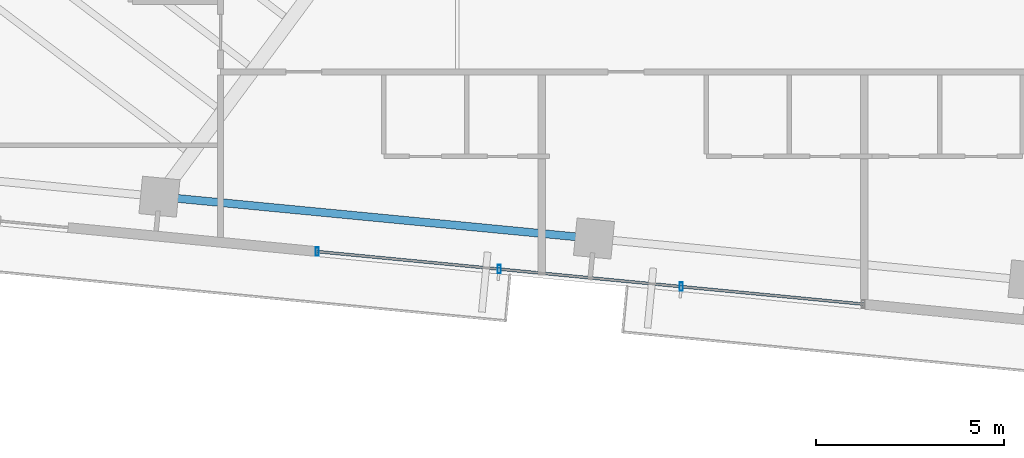
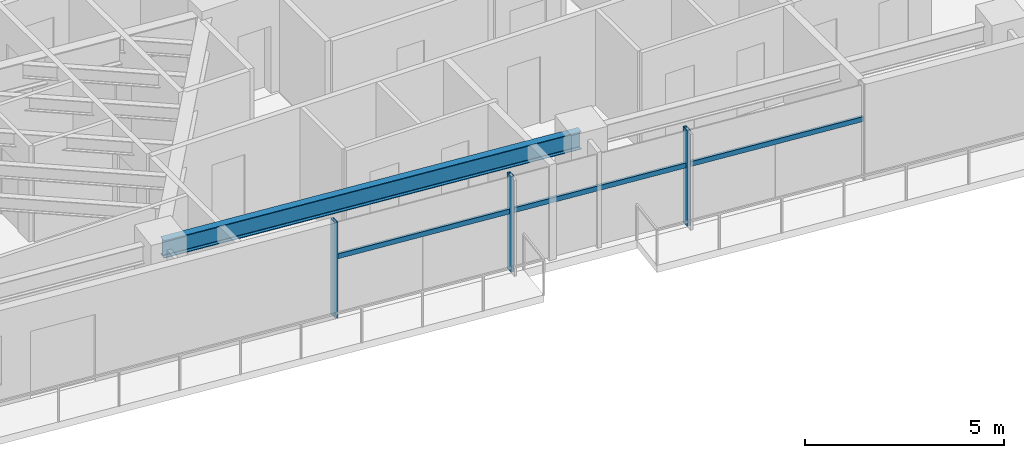
# One storey, part 4 of 20: 6 members, 1 beam, 1 element without a shape of its own.
"""IFC4 building model written with IfcOpenShell, lengths in metres."""

import ifcopenshell
import ifcopenshell.guid

model = None  # the IFC model being written
_history = None  # IfcOwnerHistory: only IFC2X3 demands one
_inside = {}  # id of a spatial element -> (the spatial element, [elements in it])
_under = {}  # id of a project, library or spatial element -> (it, [spatial elements below it])
_declared = {}  # id of a project -> (the project, [libraries it declares])
_typed = {}  # id of a type object -> (the type object, [elements of that type])
_made_of = {}  # id of a material, layer set ... -> (it, [elements and type objects made of it])


def new_model(schema):
    """Start an empty IFC model of exactly this schema.

    Asked for "IFC4X3", IfcOpenShell would pick the latest addendum, in which some entities
    have other attributes; the version numbers below select the first issue.
    IFC2X3 requires an IfcOwnerHistory on every rooted entity: one is made here for all.
    """
    global model, _history
    if schema == "IFC4X3":
        model = ifcopenshell.file(schema_version=(4, 3, 0, 0))
    else:
        model = ifcopenshell.file(schema=schema)
    _inside.clear()
    _under.clear()
    _declared.clear()
    _typed.clear()
    _made_of.clear()
    _history = None
    if model.schema == "IFC2X3":
        org = make("IfcOrganization", Name="unknown")
        user = make(
            "IfcPersonAndOrganization",
            ThePerson=make("IfcPerson", FamilyName="unknown"),
            TheOrganization=org,
        )
        app = make(
            "IfcApplication",
            ApplicationDeveloper=org,
            Version="unknown",
            ApplicationFullName="unknown",
            ApplicationIdentifier="unknown",
        )
        _history = make(
            "IfcOwnerHistory",
            OwningUser=user,
            OwningApplication=app,
            ChangeAction="ADDED",
            CreationDate=0,
        )
    return model


def make(cls, **values):
    """One entity of the class cls with the attributes given. An attribute that is None is left unset."""
    return model.create_entity(
        cls, **{name: value for name, value in values.items() if value is not None}
    )


def rooted(cls, **values):
    """An entity with a GlobalId (a new one), such as an element, a storey or a relation."""
    return make(cls, GlobalId=ifcopenshell.guid.new(), OwnerHistory=_history, **values)


def si_unit(unit_type, name, prefix=None):
    """IfcSIUnit, for example si_unit("LENGTHUNIT", "METRE", prefix="MILLI")."""
    return make("IfcSIUnit", UnitType=unit_type, Prefix=prefix, Name=name)


def assignment(units):
    """IfcUnitAssignment: the units of a project."""
    return None if units is None else make("IfcUnitAssignment", Units=units)


def point(xyz):
    """IfcCartesianPoint."""
    return None if xyz is None else make("IfcCartesianPoint", Coordinates=xyz)


def direction(xyz):
    """IfcDirection."""
    return None if xyz is None else make("IfcDirection", DirectionRatios=xyz)


def frame(location, z_axis=None, x_axis=None):
    """IfcAxis2Placement3D, a coordinate frame: its origin and axes. An axis left out is left unset."""
    return make(
        "IfcAxis2Placement3D",
        Location=point(location),
        Axis=direction(z_axis),
        RefDirection=direction(x_axis),
    )


def frame_2d(location, x_axis=None):
    """IfcAxis2Placement2D, a coordinate frame in the plane: its origin and x axis."""
    return make(
        "IfcAxis2Placement2D", Location=point(location), RefDirection=direction(x_axis)
    )


def origin():
    """The frame at (0, 0, 0) with its axes left unset."""
    return frame((0.0, 0.0, 0.0))


def origin_2d():
    """The frame at (0, 0) in the plane with its x axis left unset."""
    return frame_2d((0.0, 0.0))


def place(relative_to, where):
    """IfcLocalPlacement: puts the frame where relative to a parent placement (None: the world)."""
    return make(
        "IfcLocalPlacement", PlacementRelTo=relative_to, RelativePlacement=where
    )


def context(
    kind, dimensions, precision=None, world=None, true_north=None, identifier=None
):
    """IfcGeometricRepresentationContext, for example the 3D "Model" context."""
    return make(
        "IfcGeometricRepresentationContext",
        ContextIdentifier=identifier,
        ContextType=kind,
        CoordinateSpaceDimension=dimensions,
        Precision=precision,
        WorldCoordinateSystem=world,
        TrueNorth=true_north,
    )


def subcontext(parent, identifier, kind, view, scale=None):
    """IfcGeometricRepresentationSubContext, for example "Body" below "Model"."""
    return make(
        "IfcGeometricRepresentationSubContext",
        ContextIdentifier=identifier,
        ContextType=kind,
        ParentContext=parent,
        TargetScale=scale,
        TargetView=view,
    )


def project(units=None, contexts=None):
    """IfcProject with its units and contexts."""
    return rooted(
        "IfcProject",
        Name="project",
        RepresentationContexts=contexts,
        UnitsInContext=assignment(units),
    )


def spatial(cls, under=None, at=None, **own):
    """A site, building, storey or space (cls), placed at a placement, below another one or the project."""
    s = rooted(cls, ObjectPlacement=at, **own)
    if under is not None:
        _under.setdefault(under.id(), (under, []))[1].append(s)
    return s


def profile(cls, at=None, kind="AREA", **sizes):
    """A parametric profile (cls). Its sizes go by their IFC names, for example OverallWidth=200.0."""
    return make(cls, ProfileType=kind, Position=at, **sizes)


def hollow_rectangle(**sizes):
    """IfcRectangleHollowProfileDef."""
    return profile("IfcRectangleHollowProfileDef", **sizes)


def i_section(**sizes):
    """IfcIShapeProfileDef."""
    return profile("IfcIShapeProfileDef", **sizes)


def extrude(swept, where, along, depth):
    """IfcExtrudedAreaSolid: the profile swept, set in the frame where, extruded along a direction by depth."""
    return make(
        "IfcExtrudedAreaSolid",
        SweptArea=swept,
        Position=where,
        ExtrudedDirection=direction(along),
        Depth=depth,
    )


def shape(context_of_items, identifier, shape_type, items):
    """IfcShapeRepresentation: the items that make up one representation, for example the "Body"."""
    return make(
        "IfcShapeRepresentation",
        ContextOfItems=context_of_items,
        RepresentationIdentifier=identifier,
        RepresentationType=shape_type,
        Items=items,
    )


def source(mapping_origin, context_of_items, identifier, shape_type, items):
    """IfcRepresentationMap: a shape defined once, which mapped items show again and again."""
    return make(
        "IfcRepresentationMap",
        MappingOrigin=mapping_origin,
        MappedRepresentation=shape(context_of_items, identifier, shape_type, items),
    )


def transform(
    local_origin,
    x_axis=None,
    y_axis=None,
    z_axis=None,
    scale=None,
    scale2=None,
    scale3=None,
    uniform=True,
):
    """IfcCartesianTransformationOperator3D, or its non-uniform kind. x_axis, y_axis, z_axis: its Axis1, 2, 3."""
    if uniform:
        return make(
            "IfcCartesianTransformationOperator3D",
            Axis1=direction(x_axis),
            Axis2=direction(y_axis),
            LocalOrigin=point(local_origin),
            Scale=scale,
            Axis3=direction(z_axis),
        )
    return make(
        "IfcCartesianTransformationOperator3DnonUniform",
        Axis1=direction(x_axis),
        Axis2=direction(y_axis),
        LocalOrigin=point(local_origin),
        Scale=scale,
        Axis3=direction(z_axis),
        Scale2=scale2,
        Scale3=scale3,
    )


def mapped(mapping_source, mapping_target):
    """IfcMappedItem: shows the shape of a source again, moved by a transform."""
    return make(
        "IfcMappedItem", MappingSource=mapping_source, MappingTarget=mapping_target
    )


def material(Name=None, Category=None):
    """IfcMaterial."""
    return make("IfcMaterial", Name=Name, Category=Category)


def material_profile(
    of_material, cross_section, Name=None, Category=None, Priority=None
):
    """IfcMaterialProfile: a cross section and its material."""
    return make(
        "IfcMaterialProfile",
        Name=Name,
        Material=of_material,
        Profile=cross_section,
        Priority=Priority,
        Category=Category,
    )


def profile_set(profiles, Name=None, composite=None):
    """IfcMaterialProfileSet."""
    return make(
        "IfcMaterialProfileSet",
        Name=Name,
        MaterialProfiles=profiles,
        CompositeProfile=composite,
    )


def made_of(thing, what):
    """Note that an element or type object is made of a material, layer set ...; save() writes the relation."""
    if what is not None:
        _made_of.setdefault(what.id(), (what, []))[1].append(thing)
    return thing


def type_object(cls, material=None, **own):
    """A type object (cls), such as IfcWallType, which elements share."""
    return made_of(rooted(cls, **own), material)


def type_shapes(of_type, sources):
    """Give a type object the sources (RepresentationMaps) that its elements show as mapped items."""
    of_type.RepresentationMaps = sources


def element(
    cls,
    number,
    at=None,
    inside=None,
    cuts=None,
    type_object=None,
    material=None,
    context=None,
    identifier="Body",
    shape_type=None,
    held_by="IfcProductDefinitionShape",
    body=None,
    shapes=None,
    **own,
):
    """One element of the class cls, such as IfcWall. Its Tag is "e" and its number.

    at: its placement. inside: the storey or other place that contains it. cuts: it is an
    opening in that element (IfcRelVoidsElement). A single representation is given by context,
    identifier, shape_type and body (its items); several are given by shapes. held_by: the class
    of the entity that holds the representations. save() writes the other relations.
    """
    e = rooted(cls, Tag="e%d" % number, ObjectPlacement=at, **own)
    if body is not None:
        shapes = [shape(context, identifier, shape_type, body)]
    if shapes is not None:
        e.Representation = make(held_by, Representations=shapes)
    if inside is not None:
        _inside.setdefault(inside.id(), (inside, []))[1].append(e)
    if cuts is not None:
        rooted(
            "IfcRelVoidsElement", RelatingBuildingElement=cuts, RelatedOpeningElement=e
        )
    if type_object is not None:
        _typed.setdefault(type_object.id(), (type_object, []))[1].append(e)
    return made_of(e, material)


def aggregate(whole, parts):
    """IfcRelAggregates: a whole, such as a stair, and the parts it consists of."""
    return rooted("IfcRelAggregates", RelatingObject=whole, RelatedObjects=parts)


def save(model, path):
    """Write the relations noted so far, then the file.

    IfcRelAggregates (storeys below a building ...), IfcRelContainedInSpatialStructure (elements
    in a storey), IfcRelDefinesByType, IfcRelAssociatesMaterial and IfcRelDeclares: one each for
    every whole, place, type object, material and project.
    """
    for whole, parts in _under.values():
        aggregate(whole, parts)
    for where, things in _inside.values():
        rooted(
            "IfcRelContainedInSpatialStructure",
            RelatedElements=things,
            RelatingStructure=where,
        )
    for kind, things in _typed.values():
        rooted("IfcRelDefinesByType", RelatedObjects=things, RelatingType=kind)
    for what, things in _made_of.values():
        rooted("IfcRelAssociatesMaterial", RelatedObjects=things, RelatingMaterial=what)
    for by, libraries in _declared.values():
        rooted("IfcRelDeclares", RelatingContext=by, RelatedDefinitions=libraries)
    model.write(path)


model = new_model("IFC4")

# Units and contexts
model_context = context("Model", 3, precision=1e-05, world=origin(), true_north=direction((0.0, 1.0)))
body_context = subcontext(model_context, "Body", "Model", "MODEL_VIEW")
ifc_project = project(units=[si_unit("LENGTHUNIT", "METRE"), si_unit("AREAUNIT", "SQUARE_METRE"), si_unit("VOLUMEUNIT", "CUBIC_METRE"), si_unit("PLANEANGLEUNIT", "RADIAN"), si_unit("MASSUNIT", "GRAM", prefix="KILO")], contexts=[model_context])

# Site, building, storey
site_placement = place(None, origin())
site = spatial("IfcSite", under=ifc_project, at=site_placement, CompositionType="ELEMENT")
building_placement = place(site_placement, origin())
building = spatial("IfcBuilding", under=site, at=building_placement, Name="Astriad Promenade Condominiums", CompositionType="ELEMENT")
storey_placement = place(building_placement, frame((0.0, 0.0, 156.60009765625)))
storey = spatial("IfcBuildingStorey", under=building, at=storey_placement, Name="L45", CompositionType="ELEMENT", Elevation=156.60009765625)

# Beam
ifc_material_1 = material(Name="Steel ASTM A992 Grade 50", Category="steel")
ifc_material_profile_1 = material_profile(ifc_material_1, i_section(OverallWidth=0.210693359375, OverallDepth=0.53955078125, WebThickness=0.01171875, FlangeThickness=0.018798828125, FilletRadius=0.0166015625, at=origin_2d()), Name="W21X73")
ifc_profile_set_1 = profile_set([ifc_material_profile_1], Name="Steel ASTM A992 Grade 50")
beam_type = type_object("IfcBeamType", Name="STEEL SPANDREL BEAM W21X73", PredefinedType="SPANDREL", material=ifc_profile_set_1)
shared_shape_1 = source(origin(), body_context, "Body", "SweptSolid", [
    extrude(i_section(OverallWidth=0.210693359375, OverallDepth=0.53955078125, WebThickness=0.01171875, FlangeThickness=0.018798828125, FilletRadius=0.0166015625, at=origin_2d()), origin(), (0.0, 0.0, 1.0), 11.52001953125),
])
type_shapes(beam_type, [shared_shape_1])
beam_placement = place(storey_placement, frame((20.467041015625, 9.32763671875, 2.670166015625), z_axis=(0.9953953902, -0.095854145285, 0.0), x_axis=(0.095854145285, 0.9953953902, 0.0)))
element("IfcBeam", 1, at=beam_placement, inside=storey, type_object=beam_type, Name="Perimeter Spandrel Beam SP-S2-L45", PredefinedType="SPANDREL", context=body_context, shape_type="MappedRepresentation", body=[
    mapped(shared_shape_1, transform((0.0, 0.0, 0.0), scale=1.0)),
])

# Curtain wall, members
ifc_material_2 = material(Name="Anodised aluminium Black Dark Glass Unitised", Category="aluminium")
curtain_wall_type = type_object("IfcCurtainWallType", Name="CW-B34-DARK", PredefinedType="USERDEFINED", material=ifc_material_2)
curtain_wall_placement = place(storey_placement, origin())
curtain_wall = element("IfcCurtainWall", 2, at=curtain_wall_placement, inside=storey, type_object=curtain_wall_type, Name="CW-L45-S", ObjectType="UNITISED_CURTAIN_WALL", PredefinedType="USERDEFINED")
ifc_material_3 = material(Name="Anodised aluminium 6063-T6 Black", Category="aluminium")
ifc_material_profile_2 = material_profile(ifc_material_3, hollow_rectangle(XDim=0.0849609375, YDim=0.219970703125, WallThickness=0.0048828125, at=origin_2d()), Name="ALU-MUL-85X220")
ifc_profile_set_2 = profile_set([ifc_material_profile_2], Name="Anodised aluminium 6063-T6 Black")
member_type_1 = type_object("IfcMemberType", Name="MUL-ALU-MUL-85X220", PredefinedType="MULLION", material=ifc_profile_set_2)
shared_shape_2 = source(origin(), body_context, "Body", "SweptSolid", [
    extrude(hollow_rectangle(XDim=0.0849609375, YDim=0.219970703125, WallThickness=0.0048828125, at=origin_2d()), origin(), (0.0, 0.0, 1.0), 2.93994140625),
])
type_shapes(member_type_1, [shared_shape_2])
member_1_placement = place(storey_placement, frame((34.2919921875, 6.941650390625, 0.0), z_axis=(0.0, 0.0, 1.0), x_axis=(1.0, 0.0, 0.0)))
member_1 = element("IfcMember", 3, at=member_1_placement, type_object=member_type_1, Name="CW-L45-S-MUL-01", PredefinedType="MULLION", context=body_context, shape_type="MappedRepresentation", body=[
    mapped(shared_shape_2, transform((0.0, 0.0, 0.0), scale=1.0)),
])
member_2_placement = place(storey_placement, frame((29.454345703125, 7.407470703125, 0.0), z_axis=(0.0, 0.0, 1.0), x_axis=(1.0, 0.0, 0.0)))
member_2 = element("IfcMember", 4, at=member_2_placement, type_object=member_type_1, Name="CW-L45-S-MUL-02", PredefinedType="MULLION", context=body_context, shape_type="MappedRepresentation", body=[
    mapped(shared_shape_2, transform((0.0, 0.0, 0.0), scale=1.0)),
])
member_3_placement = place(storey_placement, frame((24.61669921875, 7.873291015625, 0.0), z_axis=(0.0, 0.0, 1.0), x_axis=(1.0, 0.0, 0.0)))
member_3 = element("IfcMember", 5, at=member_3_placement, type_object=member_type_1, Name="CW-L45-S-MUL-03", PredefinedType="MULLION", context=body_context, shape_type="MappedRepresentation", body=[
    mapped(shared_shape_2, transform((0.0, 0.0, 0.0), scale=1.0)),
])
ifc_material_profile_3 = material_profile(ifc_material_3, hollow_rectangle(XDim=0.074951171875, YDim=0.14990234375, WallThickness=0.004150390625, at=origin_2d()), Name="ALU-TRN-75X150")
ifc_profile_set_3 = profile_set([ifc_material_profile_3], Name="Anodised aluminium 6063-T6 Black")
member_type_2 = type_object("IfcMemberType", Name="TRN-ALU-TRN-75X150", PredefinedType="USERDEFINED", material=ifc_profile_set_3)
shared_shape_3 = source(origin(), body_context, "Body", "SweptSolid", [
    extrude(hollow_rectangle(XDim=0.074951171875, YDim=0.14990234375, WallThickness=0.004150390625, at=origin_2d()), origin(), (0.0, 0.0, 1.0), 4.860107421875),
])
type_shapes(member_type_2, [shared_shape_3])
member_4_placement = place(storey_placement, frame((39.129638671875, 6.475830078125, 1.82275390625), z_axis=(-0.995396042559, 0.095847370639, 0.0), x_axis=(-0.095847370639, -0.995396042559, 0.0)))
member_4 = element("IfcMember", 6, at=member_4_placement, type_object=member_type_2, Name="CW-L45-S-TRN-00-0", ObjectType="TRANSOM", PredefinedType="USERDEFINED", context=body_context, shape_type="MappedRepresentation", body=[
    mapped(shared_shape_3, transform((0.0, 0.0, 0.0), scale=1.0)),
])
member_5_placement = place(storey_placement, frame((34.2919921875, 6.941650390625, 1.82275390625), z_axis=(-0.995396042559, 0.095847370639, 0.0), x_axis=(-0.095847370639, -0.995396042559, 0.0)))
member_5 = element("IfcMember", 7, at=member_5_placement, type_object=member_type_2, Name="CW-L45-S-TRN-01-0", ObjectType="TRANSOM", PredefinedType="USERDEFINED", context=body_context, shape_type="MappedRepresentation", body=[
    mapped(shared_shape_3, transform((0.0, 0.0, 0.0), scale=1.0)),
])
member_6_placement = place(storey_placement, frame((29.454345703125, 7.407470703125, 1.82275390625), z_axis=(-0.995396042559, 0.095847370639, 0.0), x_axis=(-0.095847370639, -0.995396042559, 0.0)))
member_6 = element("IfcMember", 8, at=member_6_placement, type_object=member_type_2, Name="CW-L45-S-TRN-02-0", ObjectType="TRANSOM", PredefinedType="USERDEFINED", context=body_context, shape_type="MappedRepresentation", body=[
    mapped(shared_shape_3, transform((0.0, 0.0, 0.0), scale=1.0)),
])
aggregate(curtain_wall, [member_1, member_2, member_3, member_4, member_5, member_6])

save(model, "model.ifc")
